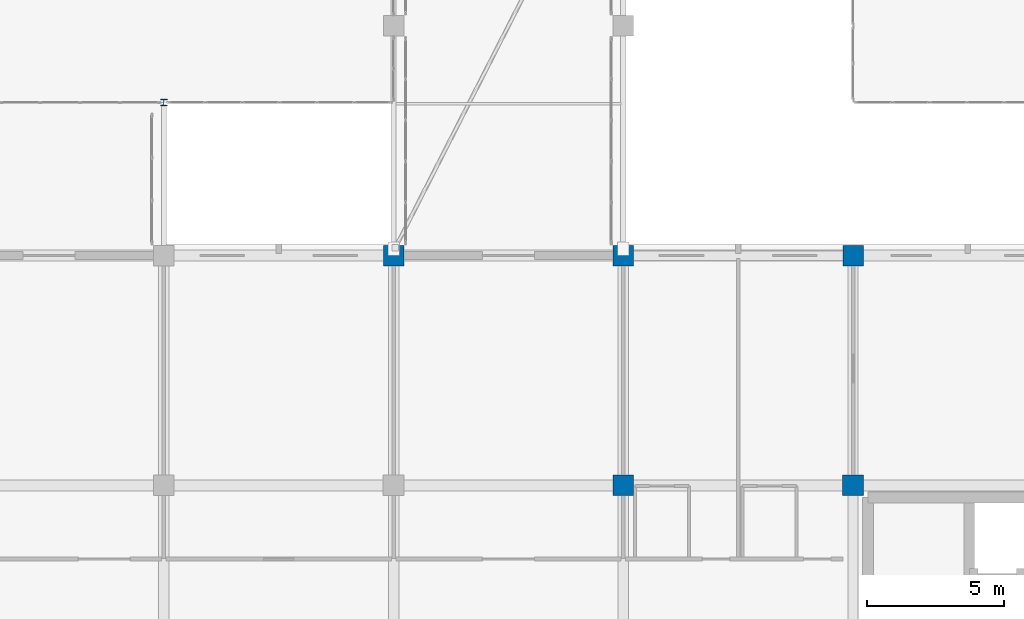
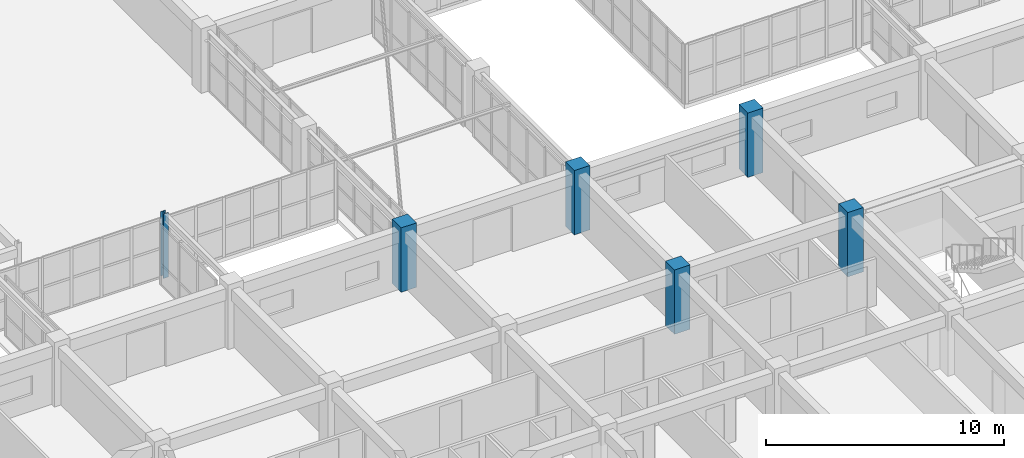
# One storey, part 7 of 200: 6 columns.
"""IFC4 building model written with IfcOpenShell, lengths in metres."""

from ifc_helpers import new_model, si_unit, direction, frame, origin, origin_2d, place, context, subcontext, project, spatial, rectangle, i_section, extrude, material, material_profile, profile_set, type_object, element, save


model = new_model("IFC4")

# Units and contexts
model_context = context("Model", 3, precision=1e-05, world=origin(), true_north=direction((0.0, 1.0)))
body_context = subcontext(model_context, "Body", "Model", "MODEL_VIEW")
ifc_project = project(units=[si_unit("LENGTHUNIT", "METRE"), si_unit("AREAUNIT", "SQUARE_METRE"), si_unit("VOLUMEUNIT", "CUBIC_METRE"), si_unit("PLANEANGLEUNIT", "RADIAN"), si_unit("MASSUNIT", "GRAM", prefix="KILO")], contexts=[model_context])

# Site, building, storey
site_placement = place(None, origin())
site = spatial("IfcSite", under=ifc_project, at=site_placement, CompositionType="ELEMENT")
building_placement = place(site_placement, origin())
building = spatial("IfcBuilding", under=site, at=building_placement, Name="Trelvath General Hospital", CompositionType="ELEMENT")
storey_placement = place(building_placement, frame((0.0, 0.0, 4.800048828125)))
storey = spatial("IfcBuildingStorey", under=building, at=storey_placement, Name="L01", CompositionType="ELEMENT", Elevation=4.800048828125)

# Columns
ifc_material_1 = material(Name="Steel S355", Category="steel")
ifc_material_profile_1 = material_profile(ifc_material_1, i_section(OverallWidth=0.239990234375, OverallDepth=0.22998046875, WebThickness=0.007568359375, FlangeThickness=0.011962890625, at=origin_2d()), Name="HEA240")
ifc_profile_set_1 = profile_set([ifc_material_profile_1], Name="Steel S355")
column_type_1 = type_object("IfcColumnType", Name="BridgeColumn HEA240", PredefinedType="COLUMN", material=ifc_profile_set_1)
column_placement = place(storey_placement, frame((67.199951171875, 30.800048828125, 0.0), z_axis=(0.0, 0.0, 1.0), x_axis=(1.0, 0.0, 0.0)))
element("IfcColumn", 1, at=column_placement, inside=storey, type_object=column_type_1, Name="Bridge Portal Column BC-02 L01", PredefinedType="COLUMN", context=body_context, shape_type="SweptSolid", body=[
    extrude(i_section(OverallWidth=0.239990234375, OverallDepth=0.22998046875, WebThickness=0.007568359375, FlangeThickness=0.011962890625, at=origin_2d()), origin(), (0.0, 0.0, 1.0), 3.300048828125),
])
ifc_material_2 = material(Name="Concrete C40/50", Category="concrete")
ifc_material_profile_2 = material_profile(ifc_material_2, rectangle(XDim=0.75, YDim=0.75, at=origin_2d()), Name="RC750x750")
ifc_profile_set_2 = profile_set([ifc_material_profile_2], Name="Concrete C40/50")
column_type_2 = type_object("IfcColumnType", Name="Column RC750", PredefinedType="COLUMN", material=ifc_profile_set_2)
for number, where, z_axis, x_axis, name in (
    (2, (75.60009765625, 25.199951171875, 0.0), (0.0, 0.0, 1.0), (1.0, 0.0, 0.0), "Column C-10D L01"),
    (3, (84.0, 25.199951171875, 0.0), (0.0, 0.0, 1.0), (1.0, 0.0, 0.0), "Column C-11D L01"),
    (4, (92.39990234375, 25.199951171875, 0.0), (0.0, 0.0, 1.0), (1.0, 0.0, 0.0), "Column C-12D L01"),
):
    element("IfcColumn", number, at=place(storey_placement, frame(where, z_axis=z_axis, x_axis=x_axis)), inside=storey, type_object=column_type_2, Name=name, PredefinedType="COLUMN", context=body_context, shape_type="SweptSolid", body=[
        extrude(rectangle(XDim=0.75, YDim=0.75, at=origin_2d()), origin(), (0.0, 0.0, 1.0), 3.300048828125),
    ])
ifc_material_3 = material(Name="Concrete C40/50", Category="concrete")
ifc_material_profile_3 = material_profile(ifc_material_3, rectangle(XDim=0.760009765625, YDim=0.760009765625, at=origin_2d()), Name="RC760x760")
ifc_profile_set_3 = profile_set([ifc_material_profile_3], Name="Concrete C40/50")
column_type_3 = type_object("IfcColumnType", Name="Column RC760", PredefinedType="COLUMN", material=ifc_profile_set_3)
for number, where, z_axis, x_axis, name in (
    (5, (84.0, 16.800048828125, 0.0), (0.0, 0.0, 1.0), (1.0, 0.0, 0.0), "Column C-11C L01"),
    (6, (92.39990234375, 16.800048828125, 0.0), (0.0, 0.0, 1.0), (1.0, 0.0, 0.0), "Column C-12C L01"),
):
    element("IfcColumn", number, at=place(storey_placement, frame(where, z_axis=z_axis, x_axis=x_axis)), inside=storey, type_object=column_type_3, Name=name, PredefinedType="COLUMN", context=body_context, shape_type="SweptSolid", body=[
        extrude(rectangle(XDim=0.760009765625, YDim=0.760009765625, at=origin_2d()), origin(), (0.0, 0.0, 1.0), 3.300048828125),
    ])

save(model, "model.ifc")
